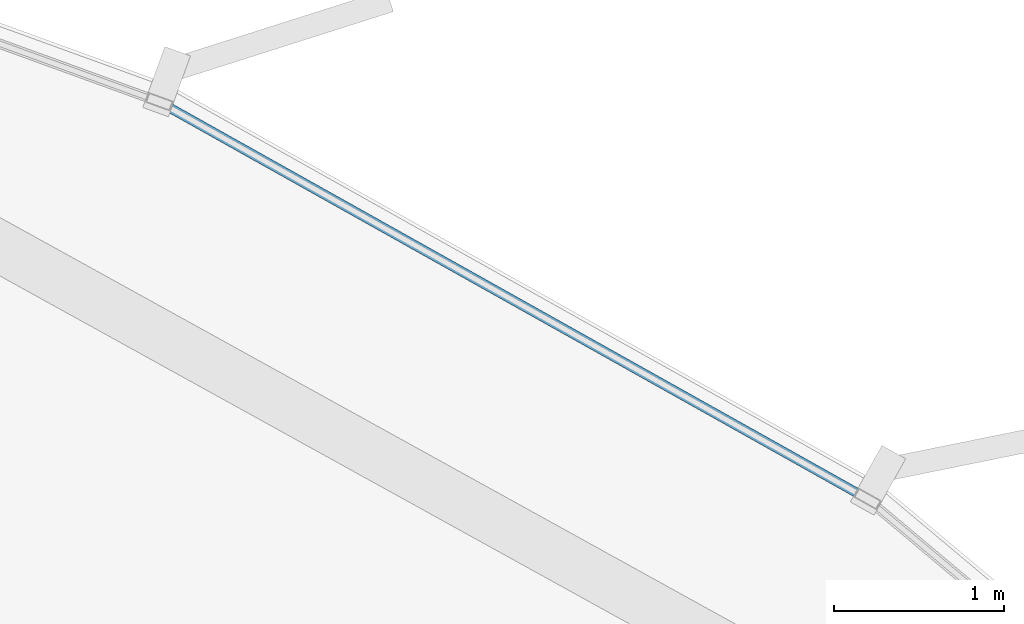
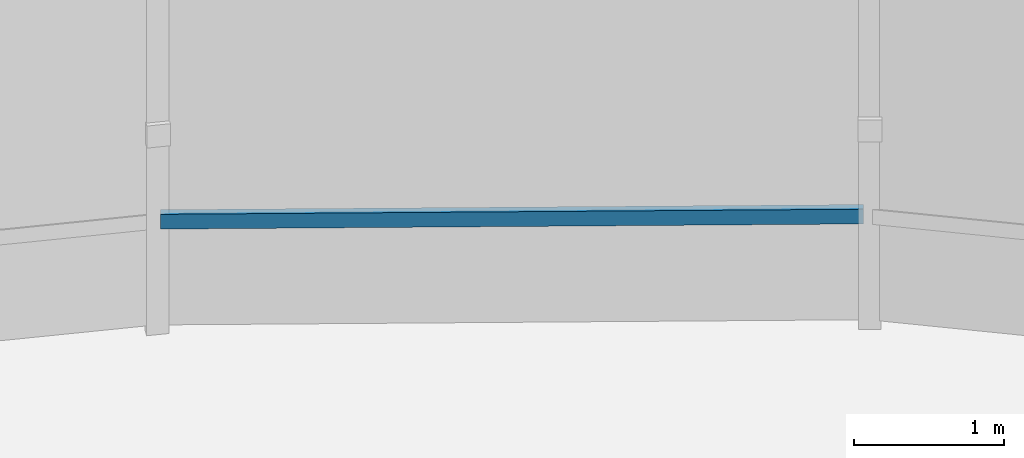
# One storey, part 26 of 35: 1 member, 1 element without a shape of its own.
"""IFC4 building model written with IfcOpenShell, lengths in metres."""

import ifcopenshell
import ifcopenshell.guid

model = None  # the IFC model being written
_history = None  # IfcOwnerHistory: only IFC2X3 demands one
_inside = {}  # id of a spatial element -> (the spatial element, [elements in it])
_under = {}  # id of a project, library or spatial element -> (it, [spatial elements below it])
_declared = {}  # id of a project -> (the project, [libraries it declares])
_typed = {}  # id of a type object -> (the type object, [elements of that type])
_made_of = {}  # id of a material, layer set ... -> (it, [elements and type objects made of it])


def new_model(schema):
    """Start an empty IFC model of exactly this schema.

    Asked for "IFC4X3", IfcOpenShell would pick the latest addendum, in which some entities
    have other attributes; the version numbers below select the first issue.
    IFC2X3 requires an IfcOwnerHistory on every rooted entity: one is made here for all.
    """
    global model, _history
    if schema == "IFC4X3":
        model = ifcopenshell.file(schema_version=(4, 3, 0, 0))
    else:
        model = ifcopenshell.file(schema=schema)
    _inside.clear()
    _under.clear()
    _declared.clear()
    _typed.clear()
    _made_of.clear()
    _history = None
    if model.schema == "IFC2X3":
        org = make("IfcOrganization", Name="unknown")
        user = make(
            "IfcPersonAndOrganization",
            ThePerson=make("IfcPerson", FamilyName="unknown"),
            TheOrganization=org,
        )
        app = make(
            "IfcApplication",
            ApplicationDeveloper=org,
            Version="unknown",
            ApplicationFullName="unknown",
            ApplicationIdentifier="unknown",
        )
        _history = make(
            "IfcOwnerHistory",
            OwningUser=user,
            OwningApplication=app,
            ChangeAction="ADDED",
            CreationDate=0,
        )
    return model


def make(cls, **values):
    """One entity of the class cls with the attributes given. An attribute that is None is left unset."""
    return model.create_entity(
        cls, **{name: value for name, value in values.items() if value is not None}
    )


def rooted(cls, **values):
    """An entity with a GlobalId (a new one), such as an element, a storey or a relation."""
    return make(cls, GlobalId=ifcopenshell.guid.new(), OwnerHistory=_history, **values)


def si_unit(unit_type, name, prefix=None):
    """IfcSIUnit, for example si_unit("LENGTHUNIT", "METRE", prefix="MILLI")."""
    return make("IfcSIUnit", UnitType=unit_type, Prefix=prefix, Name=name)


def assignment(units):
    """IfcUnitAssignment: the units of a project."""
    return None if units is None else make("IfcUnitAssignment", Units=units)


def point(xyz):
    """IfcCartesianPoint."""
    return None if xyz is None else make("IfcCartesianPoint", Coordinates=xyz)


def direction(xyz):
    """IfcDirection."""
    return None if xyz is None else make("IfcDirection", DirectionRatios=xyz)


def frame(location, z_axis=None, x_axis=None):
    """IfcAxis2Placement3D, a coordinate frame: its origin and axes. An axis left out is left unset."""
    return make(
        "IfcAxis2Placement3D",
        Location=point(location),
        Axis=direction(z_axis),
        RefDirection=direction(x_axis),
    )


def frame_2d(location, x_axis=None):
    """IfcAxis2Placement2D, a coordinate frame in the plane: its origin and x axis."""
    return make(
        "IfcAxis2Placement2D", Location=point(location), RefDirection=direction(x_axis)
    )


def origin():
    """The frame at (0, 0, 0) with its axes left unset."""
    return frame((0.0, 0.0, 0.0))


def origin_2d():
    """The frame at (0, 0) in the plane with its x axis left unset."""
    return frame_2d((0.0, 0.0))


def place(relative_to, where):
    """IfcLocalPlacement: puts the frame where relative to a parent placement (None: the world)."""
    return make(
        "IfcLocalPlacement", PlacementRelTo=relative_to, RelativePlacement=where
    )


def context(
    kind, dimensions, precision=None, world=None, true_north=None, identifier=None
):
    """IfcGeometricRepresentationContext, for example the 3D "Model" context."""
    return make(
        "IfcGeometricRepresentationContext",
        ContextIdentifier=identifier,
        ContextType=kind,
        CoordinateSpaceDimension=dimensions,
        Precision=precision,
        WorldCoordinateSystem=world,
        TrueNorth=true_north,
    )


def subcontext(parent, identifier, kind, view, scale=None):
    """IfcGeometricRepresentationSubContext, for example "Body" below "Model"."""
    return make(
        "IfcGeometricRepresentationSubContext",
        ContextIdentifier=identifier,
        ContextType=kind,
        ParentContext=parent,
        TargetScale=scale,
        TargetView=view,
    )


def project(units=None, contexts=None):
    """IfcProject with its units and contexts."""
    return rooted(
        "IfcProject",
        Name="project",
        RepresentationContexts=contexts,
        UnitsInContext=assignment(units),
    )


def spatial(cls, under=None, at=None, **own):
    """A site, building, storey or space (cls), placed at a placement, below another one or the project."""
    s = rooted(cls, ObjectPlacement=at, **own)
    if under is not None:
        _under.setdefault(under.id(), (under, []))[1].append(s)
    return s


def profile(cls, at=None, kind="AREA", **sizes):
    """A parametric profile (cls). Its sizes go by their IFC names, for example OverallWidth=200.0."""
    return make(cls, ProfileType=kind, Position=at, **sizes)


def hollow_rectangle(**sizes):
    """IfcRectangleHollowProfileDef."""
    return profile("IfcRectangleHollowProfileDef", **sizes)


def extrude(swept, where, along, depth):
    """IfcExtrudedAreaSolid: the profile swept, set in the frame where, extruded along a direction by depth."""
    return make(
        "IfcExtrudedAreaSolid",
        SweptArea=swept,
        Position=where,
        ExtrudedDirection=direction(along),
        Depth=depth,
    )


def shape(context_of_items, identifier, shape_type, items):
    """IfcShapeRepresentation: the items that make up one representation, for example the "Body"."""
    return make(
        "IfcShapeRepresentation",
        ContextOfItems=context_of_items,
        RepresentationIdentifier=identifier,
        RepresentationType=shape_type,
        Items=items,
    )


def source(mapping_origin, context_of_items, identifier, shape_type, items):
    """IfcRepresentationMap: a shape defined once, which mapped items show again and again."""
    return make(
        "IfcRepresentationMap",
        MappingOrigin=mapping_origin,
        MappedRepresentation=shape(context_of_items, identifier, shape_type, items),
    )


def transform(
    local_origin,
    x_axis=None,
    y_axis=None,
    z_axis=None,
    scale=None,
    scale2=None,
    scale3=None,
    uniform=True,
):
    """IfcCartesianTransformationOperator3D, or its non-uniform kind. x_axis, y_axis, z_axis: its Axis1, 2, 3."""
    if uniform:
        return make(
            "IfcCartesianTransformationOperator3D",
            Axis1=direction(x_axis),
            Axis2=direction(y_axis),
            LocalOrigin=point(local_origin),
            Scale=scale,
            Axis3=direction(z_axis),
        )
    return make(
        "IfcCartesianTransformationOperator3DnonUniform",
        Axis1=direction(x_axis),
        Axis2=direction(y_axis),
        LocalOrigin=point(local_origin),
        Scale=scale,
        Axis3=direction(z_axis),
        Scale2=scale2,
        Scale3=scale3,
    )


def mapped(mapping_source, mapping_target):
    """IfcMappedItem: shows the shape of a source again, moved by a transform."""
    return make(
        "IfcMappedItem", MappingSource=mapping_source, MappingTarget=mapping_target
    )


def material(Name=None, Category=None):
    """IfcMaterial."""
    return make("IfcMaterial", Name=Name, Category=Category)


def layer(
    of_material, thickness, ventilated=None, Name=None, Category=None, Priority=None
):
    """IfcMaterialLayer: one layer of a wall or slab, of a material (None: an air gap)."""
    return make(
        "IfcMaterialLayer",
        Material=of_material,
        LayerThickness=thickness,
        IsVentilated=ventilated,
        Name=Name,
        Category=Category,
        Priority=Priority,
    )


def layer_set(layers, Name=None):
    """IfcMaterialLayerSet."""
    return make("IfcMaterialLayerSet", MaterialLayers=layers, LayerSetName=Name)


def material_profile(
    of_material, cross_section, Name=None, Category=None, Priority=None
):
    """IfcMaterialProfile: a cross section and its material."""
    return make(
        "IfcMaterialProfile",
        Name=Name,
        Material=of_material,
        Profile=cross_section,
        Priority=Priority,
        Category=Category,
    )


def profile_set(profiles, Name=None, composite=None):
    """IfcMaterialProfileSet."""
    return make(
        "IfcMaterialProfileSet",
        Name=Name,
        MaterialProfiles=profiles,
        CompositeProfile=composite,
    )


def made_of(thing, what):
    """Note that an element or type object is made of a material, layer set ...; save() writes the relation."""
    if what is not None:
        _made_of.setdefault(what.id(), (what, []))[1].append(thing)
    return thing


def type_object(cls, material=None, **own):
    """A type object (cls), such as IfcWallType, which elements share."""
    return made_of(rooted(cls, **own), material)


def element(
    cls,
    number,
    at=None,
    inside=None,
    cuts=None,
    type_object=None,
    material=None,
    context=None,
    identifier="Body",
    shape_type=None,
    held_by="IfcProductDefinitionShape",
    body=None,
    shapes=None,
    **own,
):
    """One element of the class cls, such as IfcWall. Its Tag is "e" and its number.

    at: its placement. inside: the storey or other place that contains it. cuts: it is an
    opening in that element (IfcRelVoidsElement). A single representation is given by context,
    identifier, shape_type and body (its items); several are given by shapes. held_by: the class
    of the entity that holds the representations. save() writes the other relations.
    """
    e = rooted(cls, Tag="e%d" % number, ObjectPlacement=at, **own)
    if body is not None:
        shapes = [shape(context, identifier, shape_type, body)]
    if shapes is not None:
        e.Representation = make(held_by, Representations=shapes)
    if inside is not None:
        _inside.setdefault(inside.id(), (inside, []))[1].append(e)
    if cuts is not None:
        rooted(
            "IfcRelVoidsElement", RelatingBuildingElement=cuts, RelatedOpeningElement=e
        )
    if type_object is not None:
        _typed.setdefault(type_object.id(), (type_object, []))[1].append(e)
    return made_of(e, material)


def aggregate(whole, parts):
    """IfcRelAggregates: a whole, such as a stair, and the parts it consists of."""
    return rooted("IfcRelAggregates", RelatingObject=whole, RelatedObjects=parts)


def save(model, path):
    """Write the relations noted so far, then the file.

    IfcRelAggregates (storeys below a building ...), IfcRelContainedInSpatialStructure (elements
    in a storey), IfcRelDefinesByType, IfcRelAssociatesMaterial and IfcRelDeclares: one each for
    every whole, place, type object, material and project.
    """
    for whole, parts in _under.values():
        aggregate(whole, parts)
    for where, things in _inside.values():
        rooted(
            "IfcRelContainedInSpatialStructure",
            RelatedElements=things,
            RelatingStructure=where,
        )
    for kind, things in _typed.values():
        rooted("IfcRelDefinesByType", RelatedObjects=things, RelatingType=kind)
    for what, things in _made_of.values():
        rooted("IfcRelAssociatesMaterial", RelatedObjects=things, RelatingMaterial=what)
    for by, libraries in _declared.values():
        rooted("IfcRelDeclares", RelatingContext=by, RelatedDefinitions=libraries)
    model.write(path)


model = new_model("IFC4")

# Units and contexts
model_context = context("Model", 3, precision=1e-05, world=origin(), true_north=direction((0.0, 1.0)))
body_context = subcontext(model_context, "Body", "Model", "MODEL_VIEW")
ifc_project = project(units=[si_unit("LENGTHUNIT", "METRE"), si_unit("AREAUNIT", "SQUARE_METRE"), si_unit("VOLUMEUNIT", "CUBIC_METRE"), si_unit("PLANEANGLEUNIT", "RADIAN"), si_unit("MASSUNIT", "GRAM", prefix="KILO"), si_unit("THERMODYNAMICTEMPERATUREUNIT", "KELVIN")], contexts=[model_context])

# Site, building, storey
site_placement = place(None, origin())
site = spatial("IfcSite", under=ifc_project, at=site_placement, CompositionType="ELEMENT")
building_placement = place(site_placement, origin())
building = spatial("IfcBuilding", under=site, at=building_placement, Name="Kethvar Cultural Tower", CompositionType="ELEMENT")
storey_placement = place(building_placement, frame((0.0, 0.0, 100.0)))
storey = spatial("IfcBuildingStorey", under=building, at=storey_placement, Name="L24", CompositionType="ELEMENT", Elevation=100.0)

# Curtain wall, member
ifc_material = material(Name="Aluminium 6063-T6", Category="aluminium")
ifc_layer = layer(ifc_material, 0.179931640625, Name="Aluminium 6063-T6", Category="aluminium")
ifc_layer_set = layer_set([ifc_layer], Name="Aluminium 6063-T6 (180 mm)")
curtain_wall_type = type_object("IfcCurtainWallType", Name="CW-SYS-03-Z2", PredefinedType="NOTDEFINED", material=ifc_layer_set)
curtain_wall_placement = place(storey_placement, origin())
curtain_wall = element("IfcCurtainWall", 1, at=curtain_wall_placement, inside=storey, type_object=curtain_wall_type, Name="L24 Curtain Wall Run 01", PredefinedType="NOTDEFINED")
ifc_material_profile = material_profile(ifc_material, hollow_rectangle(XDim=0.054931640625, YDim=0.1201171875, WallThickness=0.00390625, at=origin_2d()), Name="Aluminium 6063-T6 — RHS120x55x4")
ifc_profile_set = profile_set([ifc_material_profile], Name="Aluminium 6063-T6 — RHS120x55x4")
member_type = type_object("IfcMemberType", Name="CW-SYS-03-Z2-TRN", PredefinedType="USERDEFINED", material=ifc_profile_set)
shared_shape = source(origin(), body_context, "Body", "SweptSolid", [
    extrude(hollow_rectangle(XDim=0.054931640625, YDim=0.1201171875, WallThickness=0.00390625, at=origin_2d()), origin(), (0.0, 0.0, 1.0), 4.697998046875),
])
member_placement = place(storey_placement, frame((69.213134765625, 46.69580078125, 0.949951171875), z_axis=(-0.872366853843, 0.488851789724, 0.0), x_axis=(-0.488851789724, -0.872366853843, 0.0)))
member = element("IfcMember", 2, at=member_placement, type_object=member_type, Name="CW-L24-R01 Transom 4", ObjectType="TRANSOM", PredefinedType="USERDEFINED", context=body_context, shape_type="MappedRepresentation", body=[
    mapped(shared_shape, transform((0.0, 0.0, 0.0), scale=1.0)),
])
aggregate(curtain_wall, [member])

save(model, "model.ifc")
